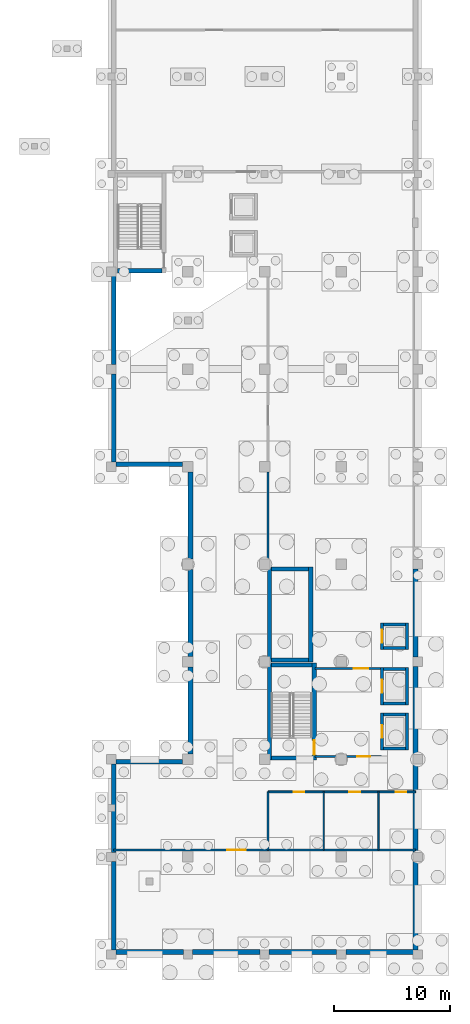
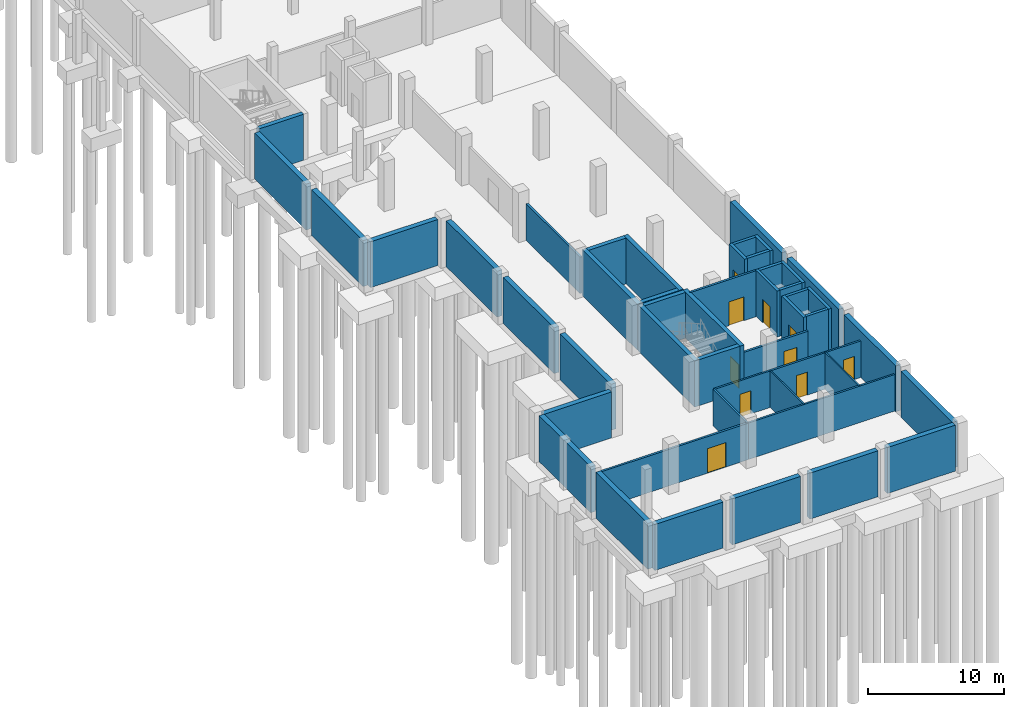
# One storey, part 16 of 25: 47 walls, 10 doors, 10 openings.
"""IFC4 building model written with IfcOpenShell, lengths in metres."""

from ifc_helpers import new_model, si_unit, direction, frame, frame_2d, origin, place, context, subcontext, project, spatial, rectangle, extrude, material, layer, layer_set, type_object, element, fill, save


model = new_model("IFC4")

# Units and contexts
model_context = context("Model", 3, precision=1e-05, world=origin(), true_north=direction((0.0, 1.0)))
body_context = subcontext(model_context, "Body", "Model", "MODEL_VIEW")
ifc_project = project(units=[si_unit("LENGTHUNIT", "METRE"), si_unit("AREAUNIT", "SQUARE_METRE"), si_unit("VOLUMEUNIT", "CUBIC_METRE"), si_unit("PLANEANGLEUNIT", "RADIAN"), si_unit("MASSUNIT", "GRAM", prefix="KILO")], contexts=[model_context])

# Site, building, storey
site_placement = place(None, origin())
site = spatial("IfcSite", under=ifc_project, at=site_placement, CompositionType="ELEMENT")
building_placement = place(site_placement, origin())
building = spatial("IfcBuilding", under=site, at=building_placement, Name="Qaldarim Faculty of Natural and Applied Sciences", CompositionType="ELEMENT")
storey_placement = place(building_placement, frame((0.0, 0.0, -4.5)))
storey = spatial("IfcBuildingStorey", under=building, at=storey_placement, Name="B01", CompositionType="ELEMENT", Elevation=-4.5)

# Walls
ifc_material_1 = material(Name="Painted gypsum partition board")
ifc_layer_1 = layer(ifc_material_1, 0.1201171875)
ifc_layer_set_1 = layer_set([ifc_layer_1], Name="Painted gypsum partition board")
wall_type_1 = type_object("IfcWallType", Name="AcousticPartition-120", PredefinedType="PARTITIONING", material=ifc_layer_set_1)
for number, where, z_axis, x_axis, name in (
    (1, (170.10009765625, 9.0, 0.0), (0.0, 0.0, 1.0), (0.0, 1.0, 0.0), "Interior partition PRT-B01-V5-WCD1"),
    (2, (174.800048828125, 9.0, 0.0), (0.0, 0.0, 1.0), (0.0, 1.0, 0.0), "Interior partition PRT-B01-V5-WCD2"),
):
    element("IfcWall", number, at=place(storey_placement, frame(where, z_axis=z_axis, x_axis=x_axis)), inside=storey, type_object=wall_type_1, Name=name, PredefinedType="PARTITIONING", context=body_context, shape_type="SweptSolid", body=[
        extrude(rectangle(XDim=5.0, YDim=0.1201171875, at=frame_2d((2.5, 0.0))), origin(), (0.0, 0.0, 1.0), 3.2900390625),
    ])
ifc_material_2 = material(Name="Concrete C40/50", Category="concrete")
ifc_layer_2 = layer(ifc_material_2, 0.419921875)
ifc_layer_set_2 = layer_set([ifc_layer_2], Name="Concrete C40/50")
wall_type_2 = type_object("IfcWallType", Name="BasementRetainingWall-420", PredefinedType="SOLIDWALL", material=ifc_layer_set_2)
wall_1_placement = place(storey_placement, frame((152.195068359375, 0.2099609375, 0.0), z_axis=(0.0, 0.0, 1.0), x_axis=(1.0, 0.0, 0.0)))
element("IfcWall", 3, at=wall_1_placement, inside=storey, type_object=wall_type_2, Name="Basement retaining wall S X24Y01", PredefinedType="SOLIDWALL", context=body_context, shape_type="SweptSolid", body=[
    extrude(rectangle(XDim=5.809814453125, YDim=0.419921875, at=frame_2d((2.90478515625, 0.0))), origin(), (0.0, 0.0, 1.0), 4.139892578125),
])
wall_2_placement = place(storey_placement, frame((152.010009765625, 8.0048828125, 0.0), z_axis=(0.0, 0.0, 1.0), x_axis=(0.0, -1.0, 0.0)))
element("IfcWall", 4, at=wall_2_placement, inside=storey, type_object=wall_type_2, Name="Basement retaining wall W X24Y01", PredefinedType="SOLIDWALL", context=body_context, shape_type="SweptSolid", body=[
    extrude(rectangle(XDim=7.60986328125, YDim=0.419921875, at=frame_2d((3.804931640625, 0.0))), origin(), (0.0, 0.0, 1.0), 4.139892578125),
])
wall_3_placement = place(storey_placement, frame((157.955078125, 16.590087890625, 0.0), z_axis=(0.0, 0.0, 1.0), x_axis=(-1.0, 0.0, 0.0)))
element("IfcWall", 5, at=wall_3_placement, inside=storey, type_object=wall_type_2, Name="Basement retaining wall N X24Y02", PredefinedType="SOLIDWALL", context=body_context, shape_type="SweptSolid", body=[
    extrude(rectangle(XDim=5.760009765625, YDim=0.419921875, at=frame_2d((2.8798828125, 0.0))), origin(), (0.0, 0.0, 1.0), 4.139892578125),
])
wall_4_placement = place(storey_placement, frame((152.010009765625, 16.405029296875, 0.0), z_axis=(0.0, 0.0, 1.0), x_axis=(0.0, -1.0, 0.0)))
element("IfcWall", 6, at=wall_4_placement, inside=storey, type_object=wall_type_2, Name="Basement retaining wall W X24Y02", PredefinedType="SOLIDWALL", context=body_context, shape_type="SweptSolid", body=[
    extrude(rectangle(XDim=7.610107421875, YDim=0.419921875, at=frame_2d((3.80517578125, 0.0))), origin(), (0.0, 0.0, 1.0), 4.139892578125),
])
wall_5_placement = place(storey_placement, frame((152.195068359375, 42.2099609375, 0.0), z_axis=(0.0, 0.0, 1.0), x_axis=(1.0, 0.0, 0.0)))
element("IfcWall", 7, at=wall_5_placement, inside=storey, type_object=wall_type_2, Name="Basement retaining wall S X24Y06", PredefinedType="SOLIDWALL", context=body_context, shape_type="SweptSolid", body=[
    extrude(rectangle(XDim=5.760009765625, YDim=0.419921875, at=frame_2d((2.8798828125, 0.0))), origin(), (0.0, 0.0, 1.0), 4.139892578125),
])
wall_6_placement = place(storey_placement, frame((152.010009765625, 50.0048828125, 0.0), z_axis=(0.0, 0.0, 1.0), x_axis=(0.0, -1.0, 0.0)))
element("IfcWall", 8, at=wall_6_placement, inside=storey, type_object=wall_type_2, Name="Basement retaining wall W X24Y06", PredefinedType="SOLIDWALL", context=body_context, shape_type="SweptSolid", body=[
    extrude(rectangle(XDim=7.60986328125, YDim=0.419921875, at=frame_2d((3.804931640625, 0.0))), origin(), (0.0, 0.0, 1.0), 4.139892578125),
])
wall_7_placement = place(storey_placement, frame((152.010009765625, 58.405029296875, 0.0), z_axis=(0.0, 0.0, 1.0), x_axis=(0.0, -1.0, 0.0)))
element("IfcWall", 9, at=wall_7_placement, inside=storey, type_object=wall_type_2, Name="Basement retaining wall W X24Y07", PredefinedType="SOLIDWALL", context=body_context, shape_type="SweptSolid", body=[
    extrude(rectangle(XDim=7.610107421875, YDim=0.419921875, at=frame_2d((3.80517578125, 0.0))), origin(), (0.0, 0.0, 1.0), 4.139892578125),
])
wall_8_placement = place(storey_placement, frame((158.794921875, 0.2099609375, 0.0), z_axis=(0.0, 0.0, 1.0), x_axis=(1.0, 0.0, 0.0)))
element("IfcWall", 10, at=wall_8_placement, inside=storey, type_object=wall_type_2, Name="Basement retaining wall S X25Y01", PredefinedType="SOLIDWALL", context=body_context, shape_type="SweptSolid", body=[
    extrude(rectangle(XDim=5.81005859375, YDim=0.419921875, at=frame_2d((2.905029296875, 0.0))), origin(), (0.0, 0.0, 1.0), 4.139892578125),
])
wall_9_placement = place(storey_placement, frame((158.610107421875, 24.7548828125, 0.0), z_axis=(0.0, 0.0, 1.0), x_axis=(0.0, -1.0, 0.0)))
element("IfcWall", 11, at=wall_9_placement, inside=storey, type_object=wall_type_2, Name="Basement retaining wall W X25Y03", PredefinedType="SOLIDWALL", context=body_context, shape_type="SweptSolid", body=[
    extrude(rectangle(XDim=7.509765625, YDim=0.419921875, at=frame_2d((3.7548828125, 0.0))), origin(), (0.0, 0.0, 1.0), 4.139892578125),
])
for number, where, z_axis, x_axis, name in (
    (12, (158.610107421875, 33.155029296875, 0.0), (0.0, 0.0, 1.0), (0.0, -1.0, 0.0), "Basement retaining wall W X25Y04"),
    (13, (158.610107421875, 41.554931640625, 0.0), (0.0, 0.0, 1.0), (0.0, -1.0, 0.0), "Basement retaining wall W X25Y05"),
):
    element("IfcWall", number, at=place(storey_placement, frame(where, z_axis=z_axis, x_axis=x_axis)), inside=storey, type_object=wall_type_2, Name=name, PredefinedType="SOLIDWALL", context=body_context, shape_type="SweptSolid", body=[
        extrude(rectangle(XDim=7.510009765625, YDim=0.419921875, at=frame_2d((3.7548828125, 0.0))), origin(), (0.0, 0.0, 1.0), 4.139892578125),
    ])
wall_10_placement = place(storey_placement, frame((165.39501953125, 0.2099609375, 0.0), z_axis=(0.0, 0.0, 1.0), x_axis=(1.0, 0.0, 0.0)))
element("IfcWall", 14, at=wall_10_placement, inside=storey, type_object=wall_type_2, Name="Basement retaining wall S X26Y01", PredefinedType="SOLIDWALL", context=body_context, shape_type="SweptSolid", body=[
    extrude(rectangle(XDim=5.81005859375, YDim=0.419921875, at=frame_2d((2.905029296875, 0.0))), origin(), (0.0, 0.0, 1.0), 4.139892578125),
])
wall_11_placement = place(storey_placement, frame((171.9951171875, 0.2099609375, 0.0), z_axis=(0.0, 0.0, 1.0), x_axis=(1.0, 0.0, 0.0)))
element("IfcWall", 15, at=wall_11_placement, inside=storey, type_object=wall_type_2, Name="Basement retaining wall S X27Y01", PredefinedType="SOLIDWALL", context=body_context, shape_type="SweptSolid", body=[
    extrude(rectangle(XDim=5.809814453125, YDim=0.419921875, at=frame_2d((2.90478515625, 0.0))), origin(), (0.0, 0.0, 1.0), 4.139892578125),
])
wall_12_placement = place(storey_placement, frame((177.989990234375, 0.39501953125, 0.0), z_axis=(0.0, 0.0, 1.0), x_axis=(0.0, 1.0, 0.0)))
element("IfcWall", 16, at=wall_12_placement, inside=storey, type_object=wall_type_2, Name="Basement retaining wall E X27Y01", PredefinedType="SOLIDWALL", context=body_context, shape_type="SweptSolid", body=[
    extrude(rectangle(XDim=7.60986328125, YDim=0.419921875, at=frame_2d((3.804931640625, 0.0))), origin(), (0.0, 0.0, 1.0), 4.139892578125),
])
wall_13_placement = place(storey_placement, frame((177.989990234375, 8.794921875, 0.0), z_axis=(0.0, 0.0, 1.0), x_axis=(0.0, 1.0, 0.0)))
element("IfcWall", 17, at=wall_13_placement, inside=storey, type_object=wall_type_2, Name="Basement retaining wall E X27Y02", PredefinedType="SOLIDWALL", context=body_context, shape_type="SweptSolid", body=[
    extrude(rectangle(XDim=7.610107421875, YDim=0.419921875, at=frame_2d((3.80517578125, 0.0))), origin(), (0.0, 0.0, 1.0), 4.139892578125),
])
wall_14_placement = place(storey_placement, frame((177.989990234375, 17.195068359375, 0.0), z_axis=(0.0, 0.0, 1.0), x_axis=(0.0, 1.0, 0.0)))
element("IfcWall", 18, at=wall_14_placement, inside=storey, type_object=wall_type_2, Name="Basement retaining wall E X27Y03", PredefinedType="SOLIDWALL", context=body_context, shape_type="SweptSolid", body=[
    extrude(rectangle(XDim=7.60986328125, YDim=0.419921875, at=frame_2d((3.804931640625, 0.0))), origin(), (0.0, 0.0, 1.0), 4.139892578125),
])
wall_15_placement = place(storey_placement, frame((177.989990234375, 25.594970703125, 0.0), z_axis=(0.0, 0.0, 1.0), x_axis=(0.0, 1.0, 0.0)))
element("IfcWall", 19, at=wall_15_placement, inside=storey, type_object=wall_type_2, Name="Basement retaining wall E X27Y04", PredefinedType="SOLIDWALL", context=body_context, shape_type="SweptSolid", body=[
    extrude(rectangle(XDim=7.610107421875, YDim=0.419921875, at=frame_2d((3.80517578125, 0.0))), origin(), (0.0, 0.0, 1.0), 4.139892578125),
])
ifc_material_3 = material(Name="Concrete C50/60", Category="concrete")
ifc_layer_3 = layer(ifc_material_3, 0.360107421875)
ifc_layer_set_3 = layer_set([ifc_layer_3], Name="Concrete C50/60")
wall_type_3 = type_object("IfcWallType", Name="CoreShearWall-360", PredefinedType="SHEAR", material=ifc_layer_set_3)
wall_16_placement = place(storey_placement, frame((165.419921875, 16.739990234375, 0.0), z_axis=(0.0, 0.0, 1.0), x_axis=(0.0, 1.0, 0.0)))
element("IfcWall", 20, at=wall_16_placement, inside=storey, type_object=wall_type_3, Name="Core stair ST-A1 west shear wall B01", PredefinedType="SHEAR", context=body_context, shape_type="SweptSolid", body=[
    extrude(rectangle(XDim=8.3701171875, YDim=0.360107421875, at=frame_2d((4.18505859375, 0.0))), origin(), (0.0, 0.0, 1.0), 4.139892578125),
])

# Wall, opening, door
wall_17_placement = place(storey_placement, frame((169.280029296875, 16.739990234375, 0.0), z_axis=(0.0, 0.0, 1.0), x_axis=(0.0, 1.0, 0.0)))
wall_17 = element("IfcWall", 21, at=wall_17_placement, inside=storey, type_object=wall_type_3, Name="Core stair ST-A1 east shear wall B01", PredefinedType="SHEAR", context=body_context, shape_type="SweptSolid", body=[
    extrude(rectangle(XDim=8.3701171875, YDim=0.360107421875, at=frame_2d((4.18505859375, 0.0))), origin(), (0.0, 0.0, 1.0), 4.139892578125),
])
opening_1_placement = place(wall_17_placement, frame((0.449951171875, 0.0, 0.0)))
opening_1 = element("IfcOpeningElement", 22, at=opening_1_placement, cuts=wall_17, Name="Opening ID04", PredefinedType="OPENING", context=body_context, shape_type="SweptSolid", body=[
    extrude(rectangle(XDim=1.25, YDim=2.14990234375, at=frame_2d((0.625, 1.074951171875))), frame((0.0, 0.18994140625, 0.0), z_axis=(0.0, -1.0, 0.0), x_axis=(1.0, 0.0, 0.0)), (0.0, 0.0, 1.0), 0.380126953125),
])
ifc_material_4 = material(Name="Architectural stainless steel 316", Category="steel")
door_type_1 = type_object("IfcDoorType", Name="StairEnclosureFireDoor-1250x2150", OperationType="NOTDEFINED", PredefinedType="DOOR", material=ifc_material_4)
door_1_placement = place(opening_1_placement, origin())
door_1 = element("IfcDoor", 23, at=door_1_placement, inside=storey, type_object=door_type_1, Name="Protected stair ST-A1 fire door D-B01-501", OperationType="SINGLE_SWING_LEFT", OverallHeight=2.14990234375, OverallWidth=1.25, PredefinedType="DOOR", context=body_context, shape_type="SweptSolid", body=[
    extrude(rectangle(XDim=1.25, YDim=2.14990234375, at=frame_2d((0.625, 1.074951171875))), frame((0.0, 0.02490234375, 0.0), z_axis=(0.0, -1.0, 0.0), x_axis=(1.0, 0.0, 0.0)), (0.0, 0.0, 1.0), 0.050048828125),
])
fill(opening_1, door_1)

# Walls
for number, where, z_axis, x_axis, name in (
    (24, (165.60009765625, 24.929931640625, 0.0), (0.0, 0.0, 1.0), (1.0, 0.0, 0.0), "Core stair ST-A1 north shear wall B01"),
    (25, (165.60009765625, 16.919921875, 0.0), (0.0, 0.0, 1.0), (1.0, 0.0, 0.0), "Core stair ST-A1 south shear wall B01"),
):
    element("IfcWall", number, at=place(storey_placement, frame(where, z_axis=z_axis, x_axis=x_axis)), inside=storey, type_object=wall_type_3, Name=name, PredefinedType="SHEAR", context=body_context, shape_type="SweptSolid", body=[
        extrude(rectangle(XDim=3.5, YDim=0.360107421875, at=frame_2d((1.75, 0.0))), origin(), (0.0, 0.0, 1.0), 4.139892578125),
    ])
for number, where, z_axis, x_axis, name in (
    (26, (165.419921875, 25.18994140625, 0.0), (0.0, 0.0, 1.0), (0.0, 1.0, 0.0), "Core stair ST-A2 west shear wall B01"),
    (27, (168.97998046875, 25.18994140625, 0.0), (0.0, 0.0, 1.0), (0.0, 1.0, 0.0), "Core stair ST-A2 east shear wall B01"),
):
    element("IfcWall", number, at=place(storey_placement, frame(where, z_axis=z_axis, x_axis=x_axis)), inside=storey, type_object=wall_type_3, Name=name, PredefinedType="SHEAR", context=body_context, shape_type="SweptSolid", body=[
        extrude(rectangle(XDim=8.170166015625, YDim=0.360107421875, at=frame_2d((4.0849609375, 0.0))), origin(), (0.0, 0.0, 1.0), 4.139892578125),
    ])
for number, where, z_axis, x_axis, name in (
    (28, (165.60009765625, 33.179931640625, 0.0), (0.0, 0.0, 1.0), (1.0, 0.0, 0.0), "Core stair ST-A2 north shear wall B01"),
    (29, (165.60009765625, 25.3701171875, 0.0), (0.0, 0.0, 1.0), (1.0, 0.0, 0.0), "Core stair ST-A2 south shear wall B01"),
):
    element("IfcWall", number, at=place(storey_placement, frame(where, z_axis=z_axis, x_axis=x_axis)), inside=storey, type_object=wall_type_3, Name=name, PredefinedType="SHEAR", context=body_context, shape_type="SweptSolid", body=[
        extrude(rectangle(XDim=3.199951171875, YDim=0.360107421875, at=frame_2d((1.60009765625, 0.0))), origin(), (0.0, 0.0, 1.0), 4.139892578125),
    ])
wall_18_placement = place(storey_placement, frame((152.35009765625, 58.8701171875, 0.0), z_axis=(0.0, 0.0, 1.0), x_axis=(1.0, 0.0, 0.0)))
element("IfcWall", 30, at=wall_18_placement, inside=storey, type_object=wall_type_3, Name="Core stair ST-C1 south shear wall B01", PredefinedType="SHEAR", context=body_context, shape_type="SweptSolid", body=[
    extrude(rectangle(XDim=3.7998046875, YDim=0.360107421875, at=frame_2d((1.89990234375, 0.0))), origin(), (0.0, 0.0, 1.0), 4.139892578125),
])

# Wall, openings, doors
ifc_layer_4 = layer(ifc_material_2, 0.159912109375)
ifc_layer_set_4 = layer_set([ifc_layer_4], Name="Concrete C40/50")
wall_type_4 = type_object("IfcWallType", Name="FireCorridorWall-160", PredefinedType="PARTITIONING", material=ifc_layer_set_4)
wall_19_placement = place(storey_placement, frame((165.300048828125, 14.0, 0.0), z_axis=(0.0, 0.0, 1.0), x_axis=(1.0, 0.0, 0.0)))
wall_19 = element("IfcWall", 31, at=wall_19_placement, inside=storey, type_object=wall_type_4, Name="Interior partition PRT-B01-V5-WCN", PredefinedType="PARTITIONING", context=body_context, shape_type="SweptSolid", body=[
    extrude(rectangle(XDim=12.699951171875, YDim=0.159912109375, at=frame_2d((6.35009765625, 0.0))), origin(), (0.0, 0.0, 1.0), 3.2900390625),
])
opening_2_placement = place(wall_19_placement, frame((2.199951171875, 0.0, 0.0)))
opening_2 = element("IfcOpeningElement", 32, at=opening_2_placement, cuts=wall_19, Name="Opening ID14", PredefinedType="OPENING", context=body_context, shape_type="SweptSolid", body=[
    extrude(rectangle(XDim=0.919921875, YDim=2.080078125, at=frame_2d((0.4599609375, 1.0400390625))), frame((0.0, 0.08984375, 0.0), z_axis=(0.0, -1.0, 0.0), x_axis=(1.0, 0.0, 0.0)), (0.0, 0.0, 1.0), 0.179931640625),
])
opening_3_placement = place(wall_19_placement, frame((7.0, 0.0, 0.0)))
opening_3 = element("IfcOpeningElement", 33, at=opening_3_placement, cuts=wall_19, Name="Opening ID14", PredefinedType="OPENING", context=body_context, shape_type="SweptSolid", body=[
    extrude(rectangle(XDim=0.919921875, YDim=2.080078125, at=frame_2d((0.4599609375, 1.0400390625))), frame((0.0, 0.08984375, 0.0), z_axis=(0.0, -1.0, 0.0), x_axis=(1.0, 0.0, 0.0)), (0.0, 0.0, 1.0), 0.179931640625),
])
opening_4_placement = place(wall_19_placement, frame((11.0, 0.0, 0.0)))
opening_4 = element("IfcOpeningElement", 34, at=opening_4_placement, cuts=wall_19, Name="Opening ID14", PredefinedType="OPENING", context=body_context, shape_type="SweptSolid", body=[
    extrude(rectangle(XDim=0.919921875, YDim=2.080078125, at=frame_2d((0.4599609375, 1.0400390625))), frame((0.0, 0.08984375, 0.0), z_axis=(0.0, -1.0, 0.0), x_axis=(1.0, 0.0, 0.0)), (0.0, 0.0, 1.0), 0.179931640625),
])
ifc_material_5 = material(Name="Oak hardwood", Category="wood")
door_type_2 = type_object("IfcDoorType", Name="WashroomDoor-920x2080", OperationType="NOTDEFINED", PredefinedType="DOOR", material=ifc_material_5)
door_2_placement = place(opening_2_placement, origin())
door_2 = element("IfcDoor", 35, at=door_2_placement, inside=storey, type_object=door_type_2, Name="Interior door D-B01-101", OperationType="SINGLE_SWING_LEFT", OverallHeight=2.080078125, OverallWidth=0.919921875, PredefinedType="DOOR", context=body_context, shape_type="SweptSolid", body=[
    extrude(rectangle(XDim=0.919921875, YDim=2.080078125, at=frame_2d((0.4599609375, 1.0400390625))), frame((0.0, 0.02490234375, 0.0), z_axis=(0.0, -1.0, 0.0), x_axis=(1.0, 0.0, 0.0)), (0.0, 0.0, 1.0), 0.050048828125),
])
fill(opening_2, door_2)
door_3_placement = place(opening_3_placement, origin())
door_3 = element("IfcDoor", 36, at=door_3_placement, inside=storey, type_object=door_type_2, Name="Interior door D-B01-102", OperationType="SINGLE_SWING_RIGHT", OverallHeight=2.080078125, OverallWidth=0.919921875, PredefinedType="DOOR", context=body_context, shape_type="SweptSolid", body=[
    extrude(rectangle(XDim=0.919921875, YDim=2.080078125, at=frame_2d((0.4599609375, 1.0400390625))), frame((0.0, 0.02490234375, 0.0), z_axis=(0.0, -1.0, 0.0), x_axis=(1.0, 0.0, 0.0)), (0.0, 0.0, 1.0), 0.050048828125),
])
fill(opening_3, door_3)
door_4_placement = place(opening_4_placement, origin())
door_4 = element("IfcDoor", 37, at=door_4_placement, inside=storey, type_object=door_type_2, Name="Interior door D-B01-103", OperationType="SINGLE_SWING_LEFT", OverallHeight=2.080078125, OverallWidth=0.919921875, PredefinedType="DOOR", context=body_context, shape_type="SweptSolid", body=[
    extrude(rectangle(XDim=0.919921875, YDim=2.080078125, at=frame_2d((0.4599609375, 1.0400390625))), frame((0.0, 0.02490234375, 0.0), z_axis=(0.0, -1.0, 0.0), x_axis=(1.0, 0.0, 0.0)), (0.0, 0.0, 1.0), 0.050048828125),
])
fill(opening_4, door_4)

# Walls
wall_20_placement = place(storey_placement, frame((165.300048828125, 9.0, 0.0), z_axis=(0.0, 0.0, 1.0), x_axis=(1.0, 0.0, 0.0)))
element("IfcWall", 38, at=wall_20_placement, inside=storey, type_object=wall_type_4, Name="Interior partition PRT-B01-V5-WCS", PredefinedType="PARTITIONING", context=body_context, shape_type="SweptSolid", body=[
    extrude(rectangle(XDim=12.699951171875, YDim=0.159912109375, at=frame_2d((6.35009765625, 0.0))), origin(), (0.0, 0.0, 1.0), 3.2900390625),
])
wall_21_placement = place(storey_placement, frame((165.300048828125, 9.0, 0.0), z_axis=(0.0, 0.0, 1.0), x_axis=(0.0, 1.0, 0.0)))
element("IfcWall", 39, at=wall_21_placement, inside=storey, type_object=wall_type_4, Name="Interior partition PRT-B01-V5-WCW", PredefinedType="PARTITIONING", context=body_context, shape_type="SweptSolid", body=[
    extrude(rectangle(XDim=5.0, YDim=0.159912109375, at=frame_2d((2.5, 0.0))), origin(), (0.0, 0.0, 1.0), 3.2900390625),
])

# Wall, opening, door
ifc_layer_5 = layer(ifc_material_2, 0.179931640625)
ifc_layer_set_5 = layer_set([ifc_layer_5], Name="Concrete C40/50")
wall_type_5 = type_object("IfcWallType", Name="LabFireCompartmentWall-180", PredefinedType="SOLIDWALL", material=ifc_layer_set_5)
wall_22_placement = place(storey_placement, frame((152.0, 9.0, 0.0), z_axis=(0.0, 0.0, 1.0), x_axis=(1.0, 0.0, 0.0)))
wall_22 = element("IfcWall", 40, at=wall_22_placement, inside=storey, type_object=wall_type_5, Name="Interior partition PRT-B01-V5B-UPSN", PredefinedType="SOLIDWALL", context=body_context, shape_type="SweptSolid", body=[
    extrude(rectangle(XDim=13.300048828125, YDim=0.179931640625, at=frame_2d((6.64990234375, 0.0))), origin(), (0.0, 0.0, 1.0), 3.2900390625),
])
opening_5_placement = place(wall_22_placement, frame((9.800048828125, 0.0, 0.0)))
opening_5 = element("IfcOpeningElement", 41, at=opening_5_placement, cuts=wall_22, Name="Opening ID06", PredefinedType="OPENING", context=body_context, shape_type="SweptSolid", body=[
    extrude(rectangle(XDim=1.60009765625, YDim=2.199951171875, at=frame_2d((0.800048828125, 1.10009765625))), frame((0.0, 0.099853515625, 0.0), z_axis=(0.0, -1.0, 0.0), x_axis=(1.0, 0.0, 0.0)), (0.0, 0.0, 1.0), 0.199951171875),
])
door_type_3 = type_object("IfcDoorType", Name="LabEquipmentDoubleDoor-1600x2200", OperationType="NOTDEFINED", PredefinedType="DOOR", material=ifc_material_4)
door_5_placement = place(opening_5_placement, origin())
door_5 = element("IfcDoor", 42, at=door_5_placement, inside=storey, type_object=door_type_3, Name="Interior door D-B01-162", OperationType="DOUBLE_DOOR_SINGLE_SWING", OverallHeight=2.199951171875, OverallWidth=1.60009765625, PredefinedType="DOOR", context=body_context, shape_type="SweptSolid", body=[
    extrude(rectangle(XDim=1.60009765625, YDim=2.199951171875, at=frame_2d((0.800048828125, 1.10009765625))), frame((0.0, 0.02490234375, 0.0), z_axis=(0.0, -1.0, 0.0), x_axis=(1.0, 0.0, 0.0)), (0.0, 0.0, 1.0), 0.050048828125),
])
fill(opening_5, door_5)

# Wall
wall_23_placement = place(storey_placement, frame((165.300048828125, 33.60009765625, 0.0), z_axis=(0.0, 0.0, 1.0), x_axis=(0.0, 1.0, 0.0)))
element("IfcWall", 43, at=wall_23_placement, inside=storey, type_object=wall_type_5, Name="Interior partition PRT-B01-V5B-W-S1", PredefinedType="SOLIDWALL", context=body_context, shape_type="SweptSolid", body=[
    extrude(rectangle(XDim=7.949951171875, YDim=0.179931640625, at=frame_2d((3.97509765625, 0.0))), origin(), (0.0, 0.0, 1.0), 3.2900390625),
])

# Wall, opening, door
wall_24_placement = place(storey_placement, frame((169.35009765625, 24.639892578125, 0.0), z_axis=(0.0, 0.0, 1.0), x_axis=(1.0, 0.0, 0.0)))
wall_24 = element("IfcWall", 44, at=wall_24_placement, inside=storey, type_object=wall_type_5, Name="Fire-fighting lobby compartment wall Core A B01", PredefinedType="SOLIDWALL", context=body_context, shape_type="SweptSolid", body=[
    extrude(rectangle(XDim=5.699951171875, YDim=0.179931640625, at=frame_2d((2.85009765625, 0.0))), origin(), (0.0, 0.0, 1.0), 4.139892578125),
])
opening_6_placement = place(wall_24_placement, frame((3.35009765625, 0.0, 0.0)))
opening_6 = element("IfcOpeningElement", 45, at=opening_6_placement, cuts=wall_24, Name="Opening ID04", PredefinedType="OPENING", context=body_context, shape_type="SweptSolid", body=[
    extrude(rectangle(XDim=1.25, YDim=2.14990234375, at=frame_2d((0.625, 1.074951171875))), frame((0.0, 0.099853515625, 0.0), z_axis=(0.0, -1.0, 0.0), x_axis=(1.0, 0.0, 0.0)), (0.0, 0.0, 1.0), 0.199951171875),
])
door_6_placement = place(opening_6_placement, frame((1.25, 0.0, 0.0), z_axis=(0.0, 0.0, 1.0), x_axis=(-1.0, 0.0, 0.0)))
door_6 = element("IfcDoor", 46, at=door_6_placement, inside=storey, type_object=door_type_1, Name="Fire-fighting lobby door Core A D-B01-596", OperationType="SINGLE_SWING_RIGHT", OverallHeight=2.14990234375, OverallWidth=1.25, PredefinedType="DOOR", context=body_context, shape_type="SweptSolid", body=[
    extrude(rectangle(XDim=1.25, YDim=2.14990234375, at=frame_2d((0.625, 1.074951171875))), frame((0.0, 0.02490234375, 0.0), z_axis=(0.0, -1.0, 0.0), x_axis=(1.0, 0.0, 0.0)), (0.0, 0.0, 1.0), 0.050048828125),
])
fill(opening_6, door_6)

wall_25_placement = place(storey_placement, frame((169.35009765625, 17.06005859375, 0.0), z_axis=(0.0, 0.0, 1.0), x_axis=(1.0, 0.0, 0.0)))
wall_25 = element("IfcWall", 47, at=wall_25_placement, inside=storey, type_object=wall_type_5, Name="Fire-fighting lobby south wall Core A B01", PredefinedType="SOLIDWALL", context=body_context, shape_type="SweptSolid", body=[
    extrude(rectangle(XDim=5.699951171875, YDim=0.179931640625, at=frame_2d((2.85009765625, 0.0))), origin(), (0.0, 0.0, 1.0), 3.27490234375),
])
opening_7_placement = place(wall_25_placement, frame((3.64990234375, 0.0, 0.0)))
opening_7 = element("IfcOpeningElement", 48, at=opening_7_placement, cuts=wall_25, Name="Opening ID03", PredefinedType="OPENING", context=body_context, shape_type="SweptSolid", body=[
    extrude(rectangle(XDim=1.10009765625, YDim=2.14990234375, at=frame_2d((0.550048828125, 1.074951171875))), frame((0.0, 0.099853515625, 0.0), z_axis=(0.0, -1.0, 0.0), x_axis=(1.0, 0.0, 0.0)), (0.0, 0.0, 1.0), 0.199951171875),
])
door_type_4 = type_object("IfcDoorType", Name="FireLobbyDoor-1100x2150", OperationType="NOTDEFINED", PredefinedType="DOOR", material=ifc_material_5)
door_7_placement = place(opening_7_placement, origin())
door_7 = element("IfcDoor", 49, at=door_7_placement, inside=storey, type_object=door_type_4, Name="Fire-fighting lobby corridor door Core A D-B01-597", OperationType="SINGLE_SWING_LEFT", OverallHeight=2.14990234375, OverallWidth=1.10009765625, PredefinedType="DOOR", context=body_context, shape_type="SweptSolid", body=[
    extrude(rectangle(XDim=1.10009765625, YDim=2.14990234375, at=frame_2d((0.550048828125, 1.074951171875))), frame((0.0, 0.02490234375, 0.0), z_axis=(0.0, -1.0, 0.0), x_axis=(1.0, 0.0, 0.0)), (0.0, 0.0, 1.0), 0.050048828125),
])
fill(opening_7, door_7)

ifc_layer_6 = layer(ifc_material_2, 0.25)
ifc_layer_set_6 = layer_set([ifc_layer_6], Name="Concrete C40/50")
wall_type_6 = type_object("IfcWallType", Name="LiftShaftWall-250", PredefinedType="SHEAR", material=ifc_layer_set_6)
wall_26_placement = place(storey_placement, frame((175.125, 17.60009765625, 0.0), z_axis=(0.0, 0.0, 1.0), x_axis=(0.0, 1.0, 0.0)))
wall_26 = element("IfcWall", 50, at=wall_26_placement, inside=storey, type_object=wall_type_6, Name="Lift LF-A1 front shaft wall B01", PredefinedType="SHEAR", context=body_context, shape_type="SweptSolid", body=[
    extrude(rectangle(XDim=3.199951171875, YDim=0.25, at=frame_2d((1.60009765625, 0.0))), origin(), (0.0, 0.0, 1.0), 4.139892578125),
])
opening_8_placement = place(wall_26_placement, frame((1.050048828125, 0.0, 0.0)))
opening_8 = element("IfcOpeningElement", 51, at=opening_8_placement, cuts=wall_26, Name="Opening LD01", PredefinedType="OPENING", context=body_context, shape_type="SweptSolid", body=[
    extrude(rectangle(XDim=1.10009765625, YDim=2.14990234375, at=frame_2d((0.550048828125, 1.074951171875))), frame((0.0, 0.135009765625, 0.0), z_axis=(0.0, -1.0, 0.0), x_axis=(1.0, 0.0, 0.0)), (0.0, 0.0, 1.0), 0.27001953125),
])
door_type_5 = type_object("IfcDoorType", Name="LiftLandingSlidingDoor-1100x2150", OperationType="NOTDEFINED", PredefinedType="DOOR", material=ifc_material_4)
door_8_placement = place(opening_8_placement, origin())
door_8 = element("IfcDoor", 52, at=door_8_placement, inside=storey, type_object=door_type_5, Name="Lift landing sliding door LF-A1 D-B01-557", OperationType="SLIDING_TO_LEFT", OverallHeight=2.14990234375, OverallWidth=1.10009765625, PredefinedType="DOOR", context=body_context, shape_type="SweptSolid", body=[
    extrude(rectangle(XDim=1.10009765625, YDim=2.14990234375, at=frame_2d((0.550048828125, 1.074951171875))), frame((0.0, 0.02490234375, 0.0), z_axis=(0.0, -1.0, 0.0), x_axis=(1.0, 0.0, 0.0)), (0.0, 0.0, 1.0), 0.050048828125),
])
fill(opening_8, door_8)

# Walls
wall_27_placement = place(storey_placement, frame((177.27490234375, 17.60009765625, 0.0), z_axis=(0.0, 0.0, 1.0), x_axis=(0.0, 1.0, 0.0)))
element("IfcWall", 53, at=wall_27_placement, inside=storey, type_object=wall_type_6, Name="Lift LF-A1 rear shaft wall B01", PredefinedType="SHEAR", context=body_context, shape_type="SweptSolid", body=[
    extrude(rectangle(XDim=3.199951171875, YDim=0.25, at=frame_2d((1.60009765625, 0.0))), origin(), (0.0, 0.0, 1.0), 4.139892578125),
])
for number, where, z_axis, x_axis, name in (
    (54, (175.25, 17.72509765625, 0.0), (0.0, 0.0, 1.0), (1.0, 0.0, 0.0), "Lift LF-A1 south shaft wall B01"),
    (55, (175.25, 20.675048828125, 0.0), (0.0, 0.0, 1.0), (1.0, 0.0, 0.0), "Lift LF-A1 north shaft wall B01"),
):
    element("IfcWall", number, at=place(storey_placement, frame(where, z_axis=z_axis, x_axis=x_axis)), inside=storey, type_object=wall_type_6, Name=name, PredefinedType="SHEAR", context=body_context, shape_type="SweptSolid", body=[
        extrude(rectangle(XDim=1.89990234375, YDim=0.25, at=frame_2d((0.949951171875, 0.0))), origin(), (0.0, 0.0, 1.0), 4.139892578125),
    ])

# Wall, opening, door
wall_28_placement = place(storey_placement, frame((175.125, 21.5, 0.0), z_axis=(0.0, 0.0, 1.0), x_axis=(0.0, 1.0, 0.0)))
wall_28 = element("IfcWall", 56, at=wall_28_placement, inside=storey, type_object=wall_type_6, Name="Lift LF-A2 front shaft wall B01", PredefinedType="SHEAR", context=body_context, shape_type="SweptSolid", body=[
    extrude(rectangle(XDim=3.199951171875, YDim=0.25, at=frame_2d((1.60009765625, 0.0))), origin(), (0.0, 0.0, 1.0), 4.139892578125),
])
opening_9_placement = place(wall_28_placement, frame((1.050048828125, 0.0, 0.0)))
opening_9 = element("IfcOpeningElement", 57, at=opening_9_placement, cuts=wall_28, Name="Opening LD01", PredefinedType="OPENING", context=body_context, shape_type="SweptSolid", body=[
    extrude(rectangle(XDim=1.10009765625, YDim=2.14990234375, at=frame_2d((0.550048828125, 1.074951171875))), frame((0.0, 0.135009765625, 0.0), z_axis=(0.0, -1.0, 0.0), x_axis=(1.0, 0.0, 0.0)), (0.0, 0.0, 1.0), 0.27001953125),
])
door_9_placement = place(opening_9_placement, origin())
door_9 = element("IfcDoor", 58, at=door_9_placement, inside=storey, type_object=door_type_5, Name="Lift landing sliding door LF-A2 D-B01-570", OperationType="SLIDING_TO_LEFT", OverallHeight=2.14990234375, OverallWidth=1.10009765625, PredefinedType="DOOR", context=body_context, shape_type="SweptSolid", body=[
    extrude(rectangle(XDim=1.10009765625, YDim=2.14990234375, at=frame_2d((0.550048828125, 1.074951171875))), frame((0.0, 0.02490234375, 0.0), z_axis=(0.0, -1.0, 0.0), x_axis=(1.0, 0.0, 0.0)), (0.0, 0.0, 1.0), 0.050048828125),
])
fill(opening_9, door_9)

# Walls
wall_29_placement = place(storey_placement, frame((177.27490234375, 21.5, 0.0), z_axis=(0.0, 0.0, 1.0), x_axis=(0.0, 1.0, 0.0)))
element("IfcWall", 59, at=wall_29_placement, inside=storey, type_object=wall_type_6, Name="Lift LF-A2 rear shaft wall B01", PredefinedType="SHEAR", context=body_context, shape_type="SweptSolid", body=[
    extrude(rectangle(XDim=3.199951171875, YDim=0.25, at=frame_2d((1.60009765625, 0.0))), origin(), (0.0, 0.0, 1.0), 4.139892578125),
])
for number, where, z_axis, x_axis, name in (
    (60, (175.25, 21.625, 0.0), (0.0, 0.0, 1.0), (1.0, 0.0, 0.0), "Lift LF-A2 south shaft wall B01"),
    (61, (175.25, 24.574951171875, 0.0), (0.0, 0.0, 1.0), (1.0, 0.0, 0.0), "Lift LF-A2 north shaft wall B01"),
):
    element("IfcWall", number, at=place(storey_placement, frame(where, z_axis=z_axis, x_axis=x_axis)), inside=storey, type_object=wall_type_6, Name=name, PredefinedType="SHEAR", context=body_context, shape_type="SweptSolid", body=[
        extrude(rectangle(XDim=1.89990234375, YDim=0.25, at=frame_2d((0.949951171875, 0.0))), origin(), (0.0, 0.0, 1.0), 4.139892578125),
    ])

# Wall, opening, door
wall_30_placement = place(storey_placement, frame((175.125, 26.25, 0.0), z_axis=(0.0, 0.0, 1.0), x_axis=(0.0, 1.0, 0.0)))
wall_30 = element("IfcWall", 62, at=wall_30_placement, inside=storey, type_object=wall_type_6, Name="Lift LF-A3 front shaft wall B01", PredefinedType="SHEAR", context=body_context, shape_type="SweptSolid", body=[
    extrude(rectangle(XDim=2.300048828125, YDim=0.25, at=frame_2d((1.14990234375, 0.0))), origin(), (0.0, 0.0, 1.0), 4.139892578125),
])
opening_10_placement = place(wall_30_placement, frame((0.60009765625, 0.0, 0.0)))
opening_10 = element("IfcOpeningElement", 63, at=opening_10_placement, cuts=wall_30, Name="Opening LD01", PredefinedType="OPENING", context=body_context, shape_type="SweptSolid", body=[
    extrude(rectangle(XDim=1.10009765625, YDim=2.14990234375, at=frame_2d((0.550048828125, 1.074951171875))), frame((0.0, 0.135009765625, 0.0), z_axis=(0.0, -1.0, 0.0), x_axis=(1.0, 0.0, 0.0)), (0.0, 0.0, 1.0), 0.27001953125),
])
door_10_placement = place(opening_10_placement, origin())
door_10 = element("IfcDoor", 64, at=door_10_placement, inside=storey, type_object=door_type_5, Name="Lift landing sliding door LF-A3 D-B01-583", OperationType="SLIDING_TO_LEFT", OverallHeight=2.14990234375, OverallWidth=1.10009765625, PredefinedType="DOOR", context=body_context, shape_type="SweptSolid", body=[
    extrude(rectangle(XDim=1.10009765625, YDim=2.14990234375, at=frame_2d((0.550048828125, 1.074951171875))), frame((0.0, 0.02490234375, 0.0), z_axis=(0.0, -1.0, 0.0), x_axis=(1.0, 0.0, 0.0)), (0.0, 0.0, 1.0), 0.050048828125),
])
fill(opening_10, door_10)

# Walls
wall_31_placement = place(storey_placement, frame((177.27490234375, 26.25, 0.0), z_axis=(0.0, 0.0, 1.0), x_axis=(0.0, 1.0, 0.0)))
element("IfcWall", 65, at=wall_31_placement, inside=storey, type_object=wall_type_6, Name="Lift LF-A3 rear shaft wall B01", PredefinedType="SHEAR", context=body_context, shape_type="SweptSolid", body=[
    extrude(rectangle(XDim=2.300048828125, YDim=0.25, at=frame_2d((1.14990234375, 0.0))), origin(), (0.0, 0.0, 1.0), 4.139892578125),
])
for number, where, z_axis, x_axis, name in (
    (66, (175.25, 26.375, 0.0), (0.0, 0.0, 1.0), (1.0, 0.0, 0.0), "Lift LF-A3 south shaft wall B01"),
    (67, (175.25, 28.425048828125, 0.0), (0.0, 0.0, 1.0), (1.0, 0.0, 0.0), "Lift LF-A3 north shaft wall B01"),
):
    element("IfcWall", number, at=place(storey_placement, frame(where, z_axis=z_axis, x_axis=x_axis)), inside=storey, type_object=wall_type_6, Name=name, PredefinedType="SHEAR", context=body_context, shape_type="SweptSolid", body=[
        extrude(rectangle(XDim=1.89990234375, YDim=0.25, at=frame_2d((0.949951171875, 0.0))), origin(), (0.0, 0.0, 1.0), 4.139892578125),
    ])

save(model, "model.ifc")
